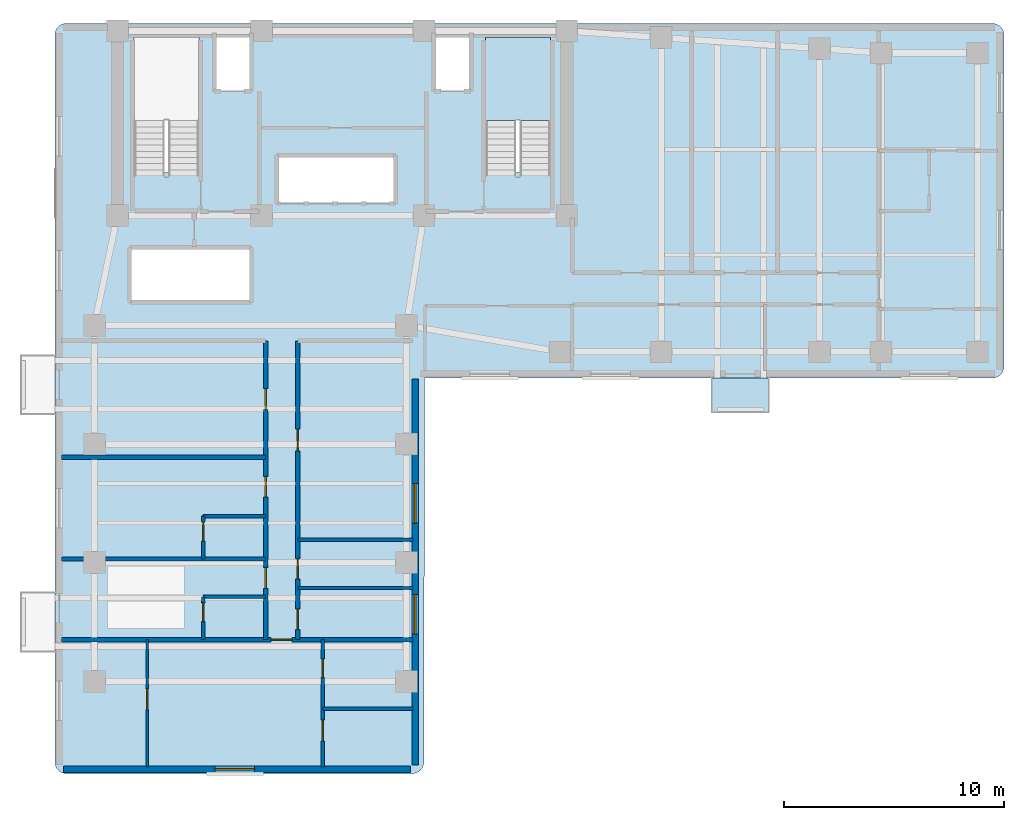
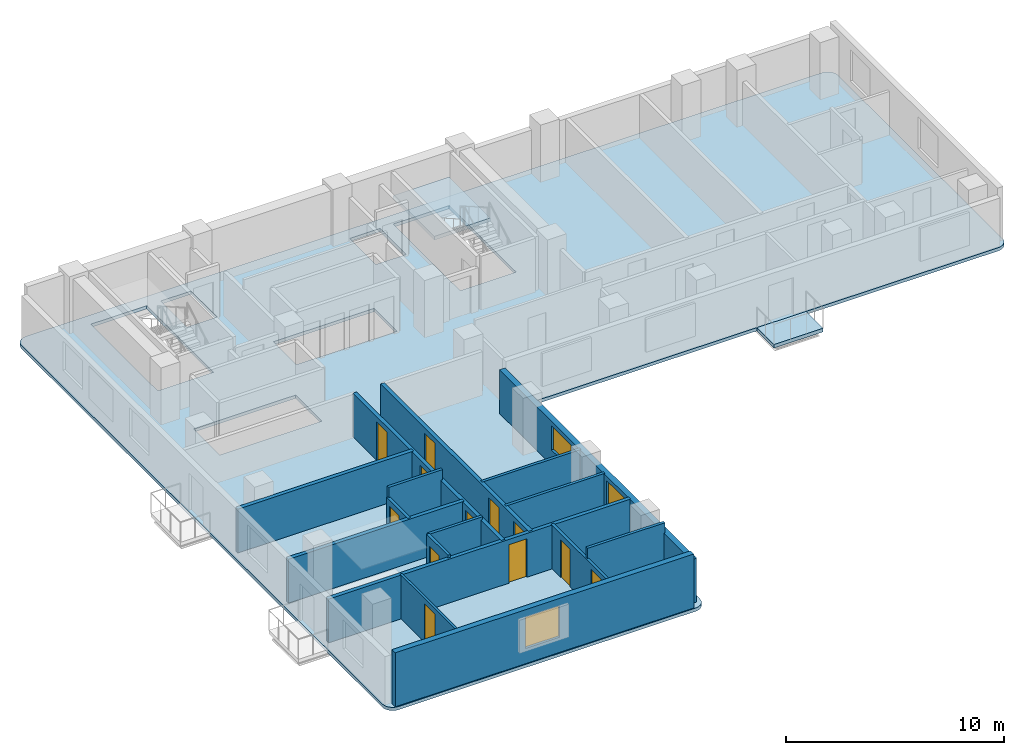
# One storey, part 2 of 7: 16 walls, 12 doors, 3 slabs, 3 windows, 15 openings, 1 element without a shape of its own.
"""IFC4 building model written with IfcOpenShell, lengths in metres."""

from ifc_helpers import new_model, si_unit, direction, frame, frame_2d, origin, place, context, subcontext, project, spatial, polyline, rectangle, outline, extrude, material, layer, layer_set, type_object, element, fill, aggregate, save


model = new_model("IFC4")

# Units and contexts
model_context = context("Model", 3, precision=1e-05, world=origin(), true_north=direction((0.0, 1.0)))
body_context = subcontext(model_context, "Body", "Model", "MODEL_VIEW")
ifc_project = project(units=[si_unit("LENGTHUNIT", "METRE"), si_unit("AREAUNIT", "SQUARE_METRE"), si_unit("VOLUMEUNIT", "CUBIC_METRE"), si_unit("PLANEANGLEUNIT", "RADIAN"), si_unit("MASSUNIT", "GRAM", prefix="KILO")], contexts=[model_context])

# Site, building, storey
site_placement = place(None, origin())
site = spatial("IfcSite", under=ifc_project, at=site_placement, CompositionType="ELEMENT")
building_placement = place(site_placement, origin())
building = spatial("IfcBuilding", under=site, at=building_placement, Name="Kuzgunbayir Cultural Tower", CompositionType="ELEMENT")
storey_placement = place(building_placement, frame((0.0, 0.0, 136.199951171875)))
storey = spatial("IfcBuildingStorey", under=building, at=storey_placement, Name="L39", CompositionType="ELEMENT", Elevation=136.199951171875)

# Slab
ifc_material_1 = material(Name="Concrete C40/50", Category="concrete")
ifc_layer_1 = layer(ifc_material_1, 0.199951171875)
ifc_layer_set_1 = layer_set([ifc_layer_1], Name="Concrete C40/50")
slab_type_1 = type_object("IfcSlabType", Name="SLB-BAL-STONE", PredefinedType="FLOOR", material=ifc_layer_set_1)
slab_1_placement = place(storey_placement, frame((0.0, 0.0, -0.199951171875)))
element("IfcSlab", 1, at=slab_1_placement, inside=storey, type_object=slab_type_1, Name="L39 Projecting Limestone Balcony BAL-L39-WB2", PredefinedType="FLOOR", context=body_context, shape_type="SweptSolid", body=[
    extrude(outline(polyline([(33.5, 24.840087890625), (36.10009765625, 24.840087890625), (36.10009765625, 26.39990234375), (33.5, 26.39990234375), (33.5, 24.840087890625)])), origin(), (0.0, 0.0, 1.0), 0.199951171875),
])

# Stair, slab
stair_type = type_object("IfcStairType", Name="STR-EXIT-CORE", PredefinedType="HALF_TURN_STAIR", material=ifc_material_1)
stair_placement = place(storey_placement, origin())
stair = element("IfcStair", 2, at=stair_placement, inside=storey, type_object=stair_type, Name="L39 ST-2", PredefinedType="HALF_TURN_STAIR")
ifc_layer_2 = layer(ifc_material_1, 0.179931640625)
ifc_layer_set_2 = layer_set([ifc_layer_2], Name="Concrete C40/50")
slab_type_2 = type_object("IfcSlabType", Name="SLB-LANDING-180", PredefinedType="LANDING", material=ifc_layer_set_2)
slab_2_placement = place(storey_placement, frame((0.0, 0.0, 1.400146484375)))
slab_2 = element("IfcSlab", 3, at=slab_2_placement, type_object=slab_type_2, Name="ST-2 landing 1", PredefinedType="LANDING", context=body_context, shape_type="SweptSolid", body=[
    extrude(outline(polyline([(26.159912109375, 38.1201171875), (26.159912109375, 41.89990234375), (23.199951171875, 41.89990234375), (23.199951171875, 38.1201171875), (26.159912109375, 38.1201171875)])), origin(), (0.0, 0.0, 1.0), 0.199951171875),
])
aggregate(stair, [slab_2])

# Slab
ifc_layer_3 = layer(ifc_material_1, 0.179931640625)
ifc_layer_set_3 = layer_set([ifc_layer_3], Name="Concrete C40/50")
slab_type_3 = type_object("IfcSlabType", Name="SLB-TYP-180", PredefinedType="FLOOR", material=ifc_layer_set_3)
slab_3_placement = place(storey_placement, frame((0.0, 0.0, -0.179931640625)))
element("IfcSlab", 4, at=slab_3_placement, inside=storey, type_object=slab_type_3, Name="L39 Tower 1 Floor Slab T1-MAIN", PredefinedType="FLOOR", context=body_context, shape_type="SweptSolid", body=[
    extrude(outline(polyline([(20.39990234375, 8.949951171875), (20.389892578125, 8.840087890625), (20.360107421875, 8.739990234375), (20.31005859375, 8.639892578125), (20.239990234375, 8.56005859375), (20.159912109375, 8.489990234375), (20.06005859375, 8.43994140625), (19.9599609375, 8.409912109375), (19.85009765625, 8.39990234375), (4.14990234375, 8.39990234375), (4.0400390625, 8.409912109375), (3.93994140625, 8.43994140625), (3.840087890625, 8.489990234375), (3.760009765625, 8.56005859375), (3.68994140625, 8.639892578125), (3.639892578125, 8.739990234375), (3.610107421875, 8.840087890625), (3.60009765625, 8.949951171875), (3.60009765625, 42.0), (3.610107421875, 42.110107421875), (3.639892578125, 42.2099609375), (3.68994140625, 42.31005859375), (3.760009765625, 42.389892578125), (3.840087890625, 42.4599609375), (3.93994140625, 42.510009765625), (4.0400390625, 42.5400390625), (4.14990234375, 42.550048828125), (46.25, 42.550048828125), (46.360107421875, 42.5400390625), (46.4599609375, 42.510009765625), (46.56005859375, 42.4599609375), (46.639892578125, 42.389892578125), (46.7099609375, 42.31005859375), (46.760009765625, 42.2099609375), (46.7900390625, 42.110107421875), (46.800048828125, 42.0), (46.800048828125, 26.949951171875), (46.7900390625, 26.840087890625), (46.760009765625, 26.739990234375), (46.7099609375, 26.639892578125), (46.639892578125, 26.56005859375), (46.56005859375, 26.489990234375), (46.4599609375, 26.43994140625), (46.360107421875, 26.409912109375), (46.25, 26.39990234375), (20.429931640625, 26.39990234375), (20.39990234375, 8.949951171875)]), holes=[polyline([(7.199951171875, 35.760009765625), (7.199951171875, 41.89990234375), (10.159912109375, 41.89990234375), (10.159912109375, 35.760009765625), (7.199951171875, 35.760009765625)]), polyline([(23.199951171875, 35.760009765625), (23.199951171875, 41.89990234375), (26.159912109375, 41.89990234375), (26.159912109375, 35.760009765625), (23.199951171875, 35.760009765625)]), polyline([(13.75, 34.39990234375), (13.75, 36.5), (19.080078125, 36.5), (19.080078125, 34.39990234375), (13.75, 34.39990234375)]), polyline([(7.10009765625, 29.89990234375), (7.10009765625, 32.300048828125), (12.5, 32.300048828125), (12.5, 29.89990234375), (7.10009765625, 29.89990234375)]), polyline([(10.89990234375, 39.5), (10.89990234375, 41.89990234375), (12.5, 41.89990234375), (12.5, 39.5), (10.89990234375, 39.5)]), polyline([(20.89990234375, 39.5), (20.89990234375, 41.89990234375), (22.5, 41.89990234375), (22.5, 39.5), (20.89990234375, 39.5)])]), origin(), (0.0, 0.0, 1.0), 0.179931640625),
])

# Wall, opening, window
ifc_material_2 = material(Name="Anatolian Cream Limestone", Category="masonry")
ifc_layer_4 = layer(ifc_material_2, 0.300048828125)
ifc_layer_set_4 = layer_set([ifc_layer_4], Name="Anatolian Cream Limestone")
wall_type_1 = type_object("IfcWallType", Name="WAL-EXT-STONE-300", PredefinedType="STANDARD", material=ifc_layer_set_4)
wall_1_placement = place(storey_placement, frame((4.0, 8.60009765625, 0.0), z_axis=(0.0, 0.0, 1.0), x_axis=(1.0, 0.0, 0.0)))
wall_1 = element("IfcWall", 5, at=wall_1_placement, inside=storey, type_object=wall_type_1, Name="L39 Wing A South Limestone Wall", PredefinedType="STANDARD", context=body_context, shape_type="SweptSolid", body=[
    extrude(rectangle(XDim=15.800048828125, YDim=0.300048828125, at=frame_2d((7.89990234375, 0.0))), origin(), (0.0, 0.0, 1.0), 3.02001953125),
])
opening_1_placement = place(wall_1_placement, frame((6.89990234375, 0.0, 0.85009765625)))
opening_1 = element("IfcOpeningElement", 6, at=opening_1_placement, cuts=wall_1, Name="Opening WH-18", PredefinedType="OPENING", context=body_context, shape_type="SweptSolid", body=[
    extrude(rectangle(XDim=1.800048828125, YDim=1.75, at=frame_2d((0.89990234375, 0.875))), frame((0.0, 0.16015625, 0.0), z_axis=(0.0, -1.0, 0.0), x_axis=(1.0, 0.0, 0.0)), (0.0, 0.0, 1.0), 0.320068359375),
])
ifc_material_3 = material(Name="Solar-Control Triple Glazing", Category="glass")
window_type = type_object("IfcWindowType", Name="WIN-HOTEL-18", PartitioningType="SINGLE_PANEL", PredefinedType="WINDOW", material=ifc_material_3)
window_1_placement = place(opening_1_placement, origin())
window_1 = element("IfcWindow", 7, at=window_1_placement, inside=storey, type_object=window_type, Name="L39 WAS Facade Window 3", OverallHeight=1.75, OverallWidth=1.800048828125, PartitioningType="SINGLE_PANEL", PredefinedType="WINDOW", context=body_context, shape_type="SweptSolid", body=[
    extrude(rectangle(XDim=1.800048828125, YDim=1.75, at=frame_2d((0.89990234375, 0.875))), frame((0.0, 0.030029296875, 0.0), z_axis=(0.0, -1.0, 0.0), x_axis=(1.0, 0.0, 0.0)), (0.0, 0.0, 1.0), 0.06005859375),
])
fill(opening_1, window_1)

# Wall, openings, windows
wall_2_placement = place(storey_placement, frame((20.0, 8.800048828125, 0.0), z_axis=(0.0, 0.0, 1.0), x_axis=(0.0, 1.0, 0.0)))
wall_2 = element("IfcWall", 8, at=wall_2_placement, inside=storey, type_object=wall_type_1, Name="L39 Wing A East Limestone Wall", PredefinedType="STANDARD", context=body_context, shape_type="SweptSolid", body=[
    extrude(rectangle(XDim=17.550048828125, YDim=0.300048828125, at=frame_2d((8.77490234375, 0.0))), origin(), (0.0, 0.0, 1.0), 2.449951171875),
])
opening_2_placement = place(wall_2_placement, frame((5.949951171875, 0.0, 0.85009765625)))
opening_2 = element("IfcOpeningElement", 9, at=opening_2_placement, cuts=wall_2, Name="Opening WH-18", PredefinedType="OPENING", context=body_context, shape_type="SweptSolid", body=[
    extrude(rectangle(XDim=1.800048828125, YDim=1.35009765625, at=frame_2d((0.89990234375, 0.675048828125))), frame((0.0, 0.16015625, 0.0), z_axis=(0.0, -1.0, 0.0), x_axis=(1.0, 0.0, 0.0)), (0.0, 0.0, 1.0), 0.320068359375),
])
opening_3_placement = place(wall_2_placement, frame((11.0, 0.0, 0.85009765625)))
opening_3 = element("IfcOpeningElement", 10, at=opening_3_placement, cuts=wall_2, Name="Opening WH-18", PredefinedType="OPENING", context=body_context, shape_type="SweptSolid", body=[
    extrude(rectangle(XDim=1.800048828125, YDim=1.35009765625, at=frame_2d((0.89990234375, 0.675048828125))), frame((0.0, 0.16015625, 0.0), z_axis=(0.0, -1.0, 0.0), x_axis=(1.0, 0.0, 0.0)), (0.0, 0.0, 1.0), 0.320068359375),
])
window_2_placement = place(opening_2_placement, origin())
window_2 = element("IfcWindow", 11, at=window_2_placement, inside=storey, type_object=window_type, Name="L39 WAE Facade Window 8", OverallHeight=1.35009765625, OverallWidth=1.800048828125, PartitioningType="SINGLE_PANEL", PredefinedType="WINDOW", context=body_context, shape_type="SweptSolid", body=[
    extrude(rectangle(XDim=1.800048828125, YDim=1.35009765625, at=frame_2d((0.89990234375, 0.675048828125))), frame((0.0, 0.030029296875, 0.0), z_axis=(0.0, -1.0, 0.0), x_axis=(1.0, 0.0, 0.0)), (0.0, 0.0, 1.0), 0.06005859375),
])
fill(opening_2, window_2)
window_3_placement = place(opening_3_placement, origin())
window_3 = element("IfcWindow", 12, at=window_3_placement, inside=storey, type_object=window_type, Name="L39 WAE Facade Window 9", OverallHeight=1.35009765625, OverallWidth=1.800048828125, PartitioningType="SINGLE_PANEL", PredefinedType="WINDOW", context=body_context, shape_type="SweptSolid", body=[
    extrude(rectangle(XDim=1.800048828125, YDim=1.35009765625, at=frame_2d((0.89990234375, 0.675048828125))), frame((0.0, 0.030029296875, 0.0), z_axis=(0.0, -1.0, 0.0), x_axis=(1.0, 0.0, 0.0)), (0.0, 0.0, 1.0), 0.06005859375),
])
fill(opening_3, window_3)

# Wall
ifc_material_4 = material(Name="Acoustic Double-Stud Drywall", Category="gypsum")
ifc_layer_5 = layer(ifc_material_4, 0.14990234375)
ifc_layer_set_5 = layer_set([ifc_layer_5], Name="Acoustic Double-Stud Drywall")
wall_type_2 = type_object("IfcWallType", Name="WAL-PART-ACOUSTIC-150", PredefinedType="PARTITIONING", material=ifc_layer_set_5)
wall_3_placement = place(storey_placement, frame((14.659912109375, 16.85009765625, 0.0), z_axis=(0.0, 0.0, 1.0), x_axis=(1.0, 0.0, 0.0)))
element("IfcWall", 13, at=wall_3_placement, inside=storey, type_object=wall_type_2, Name="L39 Housekeeping North Wall", PredefinedType="PARTITIONING", context=body_context, shape_type="SweptSolid", body=[
    extrude(rectangle(XDim=5.239990234375, YDim=0.14990234375, at=frame_2d((2.6201171875, 0.0))), origin(), (0.0, 0.0, 1.0), 2.449951171875),
])

# Wall, openings, doors
ifc_material_5 = material(Name="Aerated Concrete Blockwork", Category="masonry")
ifc_layer_6 = layer(ifc_material_5, 0.199951171875)
ifc_layer_set_6 = layer_set([ifc_layer_6], Name="Aerated Concrete Blockwork")
wall_type_3 = type_object("IfcWallType", Name="WAL-PART-FIRE-200", PredefinedType="PARTITIONING", material=ifc_layer_set_6)
wall_4_placement = place(storey_placement, frame((13.199951171875, 14.5, 0.0), z_axis=(0.0, 0.0, 1.0), x_axis=(0.0, 1.0, 0.0)))
wall_4 = element("IfcWall", 14, at=wall_4_placement, inside=storey, type_object=wall_type_3, Name="L39 Wing A West Corridor Wall", PredefinedType="PARTITIONING", context=body_context, shape_type="SweptSolid", body=[
    extrude(rectangle(XDim=13.60009765625, YDim=0.199951171875, at=frame_2d((6.800048828125, 0.0))), origin(), (0.0, 0.0, 1.0), 2.449951171875),
])
opening_4_placement = place(wall_4_placement, frame((2.330078125, 0.0, 0.0)))
opening_4 = element("IfcOpeningElement", 15, at=opening_4_placement, cuts=wall_4, Name="Opening DR-APT-60", PredefinedType="OPENING", context=body_context, shape_type="SweptSolid", body=[
    extrude(rectangle(XDim=0.949951171875, YDim=2.14990234375, at=frame_2d((0.47509765625, 1.074951171875))), frame((0.0, 0.10986328125, 0.0), z_axis=(0.0, -1.0, 0.0), x_axis=(1.0, 0.0, 0.0)), (0.0, 0.0, 1.0), 0.219970703125),
])
opening_5_placement = place(wall_4_placement, frame((6.47998046875, 0.0, 0.0)))
opening_5 = element("IfcOpeningElement", 16, at=opening_5_placement, cuts=wall_4, Name="Opening DR-APT-60", PredefinedType="OPENING", context=body_context, shape_type="SweptSolid", body=[
    extrude(rectangle(XDim=0.949951171875, YDim=2.14990234375, at=frame_2d((0.47509765625, 1.074951171875))), frame((0.0, 0.10986328125, 0.0), z_axis=(0.0, -1.0, 0.0), x_axis=(1.0, 0.0, 0.0)), (0.0, 0.0, 1.0), 0.219970703125),
])
opening_6_placement = place(wall_4_placement, frame((10.469970703125, 0.0, 0.0)))
opening_6 = element("IfcOpeningElement", 17, at=opening_6_placement, cuts=wall_4, Name="Opening DI-90", PredefinedType="OPENING", context=body_context, shape_type="SweptSolid", body=[
    extrude(rectangle(XDim=0.949951171875, YDim=2.14990234375, at=frame_2d((0.47509765625, 1.074951171875))), frame((0.0, 0.10986328125, 0.0), z_axis=(0.0, -1.0, 0.0), x_axis=(1.0, 0.0, 0.0)), (0.0, 0.0, 1.0), 0.219970703125),
])
ifc_material_6 = material(Name="Acoustic Fire Timber Leaf", Category="wood")
door_type_1 = type_object("IfcDoorType", Name="DR-APT-60", OperationType="NOTDEFINED", PredefinedType="DOOR", material=ifc_material_6)
door_1_placement = place(opening_4_placement, origin())
door_1 = element("IfcDoor", 18, at=door_1_placement, inside=storey, type_object=door_type_1, Name="L39 Guest Suite W1 Entrance", OperationType="SINGLE_SWING_LEFT", OverallHeight=2.14990234375, OverallWidth=0.949951171875, PredefinedType="DOOR", context=body_context, shape_type="SweptSolid", body=[
    extrude(rectangle(XDim=0.949951171875, YDim=2.14990234375, at=frame_2d((0.47509765625, 1.074951171875))), frame((0.0, 0.02490234375, 0.0), z_axis=(0.0, -1.0, 0.0), x_axis=(1.0, 0.0, 0.0)), (0.0, 0.0, 1.0), 0.050048828125),
])
fill(opening_4, door_1)
door_2_placement = place(opening_5_placement, origin())
door_2 = element("IfcDoor", 19, at=door_2_placement, inside=storey, type_object=door_type_1, Name="L39 Guest Suite W2 Entrance", OperationType="SINGLE_SWING_LEFT", OverallHeight=2.14990234375, OverallWidth=0.949951171875, PredefinedType="DOOR", context=body_context, shape_type="SweptSolid", body=[
    extrude(rectangle(XDim=0.949951171875, YDim=2.14990234375, at=frame_2d((0.47509765625, 1.074951171875))), frame((0.0, 0.02490234375, 0.0), z_axis=(0.0, -1.0, 0.0), x_axis=(1.0, 0.0, 0.0)), (0.0, 0.0, 1.0), 0.050048828125),
])
fill(opening_5, door_2)
ifc_material_7 = material(Name="Veneered Oak Single Leaf", Category="wood")
door_type_2 = type_object("IfcDoorType", Name="DR-INT-90", OperationType="NOTDEFINED", PredefinedType="DOOR", material=ifc_material_7)
door_3_placement = place(opening_6_placement, origin())
door_3 = element("IfcDoor", 20, at=door_3_placement, inside=storey, type_object=door_type_2, Name="L39 Art Publication Salon 3 Door", OperationType="SINGLE_SWING_RIGHT", OverallHeight=2.14990234375, OverallWidth=0.949951171875, PredefinedType="DOOR", context=body_context, shape_type="SweptSolid", body=[
    extrude(rectangle(XDim=0.949951171875, YDim=2.14990234375, at=frame_2d((0.47509765625, 1.074951171875))), frame((0.0, 0.02490234375, 0.0), z_axis=(0.0, -1.0, 0.0), x_axis=(1.0, 0.0, 0.0)), (0.0, 0.0, 1.0), 0.050048828125),
])
fill(opening_6, door_3)

wall_5_placement = place(storey_placement, frame((14.659912109375, 14.5, 0.0), z_axis=(0.0, 0.0, 1.0), x_axis=(0.0, 1.0, 0.0)))
wall_5 = element("IfcWall", 21, at=wall_5_placement, inside=storey, type_object=wall_type_3, Name="L39 Wing A East Corridor Wall", PredefinedType="PARTITIONING", context=body_context, shape_type="SweptSolid", body=[
    extrude(rectangle(XDim=13.60009765625, YDim=0.199951171875, at=frame_2d((6.800048828125, 0.0))), origin(), (0.0, 0.0, 1.0), 2.449951171875),
])
opening_7_placement = place(wall_5_placement, frame((0.449951171875, 0.0, 0.0)))
opening_7 = element("IfcOpeningElement", 22, at=opening_7_placement, cuts=wall_5, Name="Opening DI-90", PredefinedType="OPENING", context=body_context, shape_type="SweptSolid", body=[
    extrude(rectangle(XDim=0.949951171875, YDim=2.14990234375, at=frame_2d((0.47509765625, 1.074951171875))), frame((0.0, 0.10986328125, 0.0), z_axis=(0.0, -1.0, 0.0), x_axis=(1.0, 0.0, 0.0)), (0.0, 0.0, 1.0), 0.219970703125),
])
opening_8_placement = place(wall_5_placement, frame((2.75, 0.0, 0.0)))
opening_8 = element("IfcOpeningElement", 23, at=opening_8_placement, cuts=wall_5, Name="Opening DW-95", PredefinedType="OPENING", context=body_context, shape_type="SweptSolid", body=[
    extrude(rectangle(XDim=0.949951171875, YDim=2.10009765625, at=frame_2d((0.47509765625, 1.050048828125))), frame((0.0, 0.10986328125, 0.0), z_axis=(0.0, -1.0, 0.0), x_axis=(1.0, 0.0, 0.0)), (0.0, 0.0, 1.0), 0.219970703125),
])
opening_9_placement = place(wall_5_placement, frame((8.580078125, 0.0, 0.0)))
opening_9 = element("IfcOpeningElement", 24, at=opening_9_placement, cuts=wall_5, Name="Opening DI-100", PredefinedType="OPENING", context=body_context, shape_type="SweptSolid", body=[
    extrude(rectangle(XDim=1.0, YDim=2.14990234375, at=frame_2d((0.5, 1.074951171875))), frame((0.0, 0.10986328125, 0.0), z_axis=(0.0, -1.0, 0.0), x_axis=(1.0, 0.0, 0.0)), (0.0, 0.0, 1.0), 0.219970703125),
])
door_type_3 = type_object("IfcDoorType", Name="DR-INT-100", OperationType="NOTDEFINED", PredefinedType="DOOR", material=ifc_material_7)
door_4_placement = place(opening_9_placement, origin())
door_4 = element("IfcDoor", 25, at=door_4_placement, inside=storey, type_object=door_type_3, Name="L39 East Art Publication Salon Door", OperationType="SINGLE_SWING_LEFT", OverallHeight=2.14990234375, OverallWidth=1.0, PredefinedType="DOOR", context=body_context, shape_type="SweptSolid", body=[
    extrude(rectangle(XDim=1.0, YDim=2.14990234375, at=frame_2d((0.5, 1.074951171875))), frame((0.0, 0.02490234375, 0.0), z_axis=(0.0, -1.0, 0.0), x_axis=(1.0, 0.0, 0.0)), (0.0, 0.0, 1.0), 0.050048828125),
])
fill(opening_9, door_4)
door_5_placement = place(opening_7_placement, origin())
door_5 = element("IfcDoor", 26, at=door_5_placement, inside=storey, type_object=door_type_2, Name="L39 Housekeeping Room Door", OperationType="SINGLE_SWING_LEFT", OverallHeight=2.14990234375, OverallWidth=0.949951171875, PredefinedType="DOOR", context=body_context, shape_type="SweptSolid", body=[
    extrude(rectangle(XDim=0.949951171875, YDim=2.14990234375, at=frame_2d((0.47509765625, 1.074951171875))), frame((0.0, 0.02490234375, 0.0), z_axis=(0.0, -1.0, 0.0), x_axis=(1.0, 0.0, 0.0)), (0.0, 0.0, 1.0), 0.050048828125),
])
fill(opening_7, door_5)
ifc_material_8 = material(Name="Laminate Moisture-Resistant Leaf", Category="wood")
door_type_4 = type_object("IfcDoorType", Name="DR-WET-95", OperationType="NOTDEFINED", PredefinedType="DOOR", material=ifc_material_8)
door_6_placement = place(opening_8_placement, origin())
door_6 = element("IfcDoor", 27, at=door_6_placement, inside=storey, type_object=door_type_4, Name="L39 Accessible WC Door", OperationType="SINGLE_SWING_RIGHT", OverallHeight=2.10009765625, OverallWidth=0.949951171875, PredefinedType="DOOR", context=body_context, shape_type="SweptSolid", body=[
    extrude(rectangle(XDim=0.949951171875, YDim=2.10009765625, at=frame_2d((0.47509765625, 1.050048828125))), frame((0.0, 0.02490234375, 0.0), z_axis=(0.0, -1.0, 0.0), x_axis=(1.0, 0.0, 0.0)), (0.0, 0.0, 1.0), 0.050048828125),
])
fill(opening_8, door_6)

# Wall, opening, door
wall_6_placement = place(storey_placement, frame((3.89990234375, 14.5, 0.0), z_axis=(0.0, 0.0, 1.0), x_axis=(1.0, 0.0, 0.0)))
wall_6 = element("IfcWall", 28, at=wall_6_placement, inside=storey, type_object=wall_type_3, Name="L39 South Cross Partition", PredefinedType="PARTITIONING", context=body_context, shape_type="SweptSolid", body=[
    extrude(rectangle(XDim=16.0, YDim=0.199951171875, at=frame_2d((8.0, 0.0))), origin(), (0.0, 0.0, 1.0), 2.449951171875),
])
opening_10_placement = place(wall_6_placement, frame((9.550048828125, 0.0, 0.0)))
opening_10 = element("IfcOpeningElement", 29, at=opening_10_placement, cuts=wall_6, Name="Opening DR-APT-60", PredefinedType="OPENING", context=body_context, shape_type="SweptSolid", body=[
    extrude(rectangle(XDim=0.949951171875, YDim=2.14990234375, at=frame_2d((0.47509765625, 1.074951171875))), frame((0.0, 0.10986328125, 0.0), z_axis=(0.0, -1.0, 0.0), x_axis=(1.0, 0.0, 0.0)), (0.0, 0.0, 1.0), 0.219970703125),
])
door_7_placement = place(opening_10_placement, origin())
door_7 = element("IfcDoor", 30, at=door_7_placement, inside=storey, type_object=door_type_1, Name="L39 Diplomatic Suite Entrance", OperationType="SINGLE_SWING_LEFT", OverallHeight=2.14990234375, OverallWidth=0.949951171875, PredefinedType="DOOR", context=body_context, shape_type="SweptSolid", body=[
    extrude(rectangle(XDim=0.949951171875, YDim=2.14990234375, at=frame_2d((0.47509765625, 1.074951171875))), frame((0.0, 0.02490234375, 0.0), z_axis=(0.0, -1.0, 0.0), x_axis=(1.0, 0.0, 0.0)), (0.0, 0.0, 1.0), 0.050048828125),
])
fill(opening_10, door_7)

# Walls
for number, where, z_axis, x_axis, name in (
    (31, (3.89990234375, 18.169921875, 0.0), (0.0, 0.0, 1.0), (1.0, 0.0, 0.0), "L39 West Party Wall 1"),
    (32, (3.89990234375, 22.800048828125, 0.0), (0.0, 0.0, 1.0), (1.0, 0.0, 0.0), "L39 West Party Wall 2"),
):
    element("IfcWall", number, at=place(storey_placement, frame(where, z_axis=z_axis, x_axis=x_axis)), inside=storey, type_object=wall_type_3, Name=name, PredefinedType="PARTITIONING", context=body_context, shape_type="SweptSolid", body=[
        extrude(rectangle(XDim=9.300048828125, YDim=0.199951171875, at=frame_2d((4.64990234375, 0.0))), origin(), (0.0, 0.0, 1.0), 2.449951171875),
    ])

# Wall, opening, door
ifc_material_9 = material(Name="Framed Gypsum Partition", Category="gypsum")
ifc_layer_7 = layer(ifc_material_9, 0.1201171875)
ifc_layer_set_7 = layer_set([ifc_layer_7], Name="Framed Gypsum Partition")
wall_type_4 = type_object("IfcWallType", Name="WAL-PART-INT-120", PredefinedType="PARTITIONING", material=ifc_layer_set_7)
wall_7_placement = place(storey_placement, frame((7.800048828125, 8.699951171875, 0.0), z_axis=(0.0, 0.0, 1.0), x_axis=(0.0, 1.0, 0.0)))
wall_7 = element("IfcWall", 33, at=wall_7_placement, inside=storey, type_object=wall_type_4, Name="L39 Diplomatic Suite Bedroom Wall", PredefinedType="PARTITIONING", context=body_context, shape_type="SweptSolid", body=[
    extrude(rectangle(XDim=5.800048828125, YDim=0.1201171875, at=frame_2d((2.89990234375, 0.0))), origin(), (0.0, 0.0, 1.0), 2.449951171875),
])
opening_11_placement = place(wall_7_placement, frame((2.610107421875, 0.0, 0.0)))
opening_11 = element("IfcOpeningElement", 34, at=opening_11_placement, cuts=wall_7, Name="Opening DI-90", PredefinedType="OPENING", context=body_context, shape_type="SweptSolid", body=[
    extrude(rectangle(XDim=0.949951171875, YDim=2.14990234375, at=frame_2d((0.47509765625, 1.074951171875))), frame((0.0, 0.070068359375, 0.0), z_axis=(0.0, -1.0, 0.0), x_axis=(1.0, 0.0, 0.0)), (0.0, 0.0, 1.0), 0.14013671875),
])
door_8_placement = place(opening_11_placement, origin())
door_8 = element("IfcDoor", 35, at=door_8_placement, inside=storey, type_object=door_type_2, Name="L39 Diplomatic Bedroom Door", OperationType="SINGLE_SWING_RIGHT", OverallHeight=2.14990234375, OverallWidth=0.949951171875, PredefinedType="DOOR", context=body_context, shape_type="SweptSolid", body=[
    extrude(rectangle(XDim=0.949951171875, YDim=2.14990234375, at=frame_2d((0.47509765625, 1.074951171875))), frame((0.0, 0.02490234375, 0.0), z_axis=(0.0, -1.0, 0.0), x_axis=(1.0, 0.0, 0.0)), (0.0, 0.0, 1.0), 0.050048828125),
])
fill(opening_11, door_8)

# Wall
ifc_material_10 = material(Name="Moisture-Resistant Tile Partition", Category="gypsum")
ifc_layer_8 = layer(ifc_material_10, 0.14990234375)
ifc_layer_set_8 = layer_set([ifc_layer_8], Name="Moisture-Resistant Tile Partition")
wall_type_5 = type_object("IfcWallType", Name="WAL-PART-WET-150", PredefinedType="PARTITIONING", material=ifc_layer_set_8)
wall_8_placement = place(storey_placement, frame((10.35009765625, 16.449951171875, 0.0), z_axis=(0.0, 0.0, 1.0), x_axis=(1.0, 0.0, 0.0)))
element("IfcWall", 36, at=wall_8_placement, inside=storey, type_object=wall_type_5, Name="L39 Suite W1 En-Suite North Wall", PredefinedType="PARTITIONING", context=body_context, shape_type="SweptSolid", body=[
    extrude(rectangle(XDim=2.849853515625, YDim=0.14990234375, at=frame_2d((1.4248046875, 0.0))), origin(), (0.0, 0.0, 1.0), 2.610107421875),
])

# Wall, opening, door
wall_9_placement = place(storey_placement, frame((10.35009765625, 14.5, 0.0), z_axis=(0.0, 0.0, 1.0), x_axis=(0.0, 1.0, 0.0)))
wall_9 = element("IfcWall", 37, at=wall_9_placement, inside=storey, type_object=wall_type_5, Name="L39 Suite W1 En-Suite West Wall", PredefinedType="PARTITIONING", context=body_context, shape_type="SweptSolid", body=[
    extrude(rectangle(XDim=1.949951171875, YDim=0.14990234375, at=frame_2d((0.97509765625, 0.0))), origin(), (0.0, 0.0, 1.0), 2.610107421875),
])
opening_12_placement = place(wall_9_placement, frame((0.820068359375, 0.0, 0.0)))
opening_12 = element("IfcOpeningElement", 38, at=opening_12_placement, cuts=wall_9, Name="Opening DW-85", PredefinedType="OPENING", context=body_context, shape_type="SweptSolid", body=[
    extrude(rectangle(XDim=0.85009765625, YDim=2.10009765625, at=frame_2d((0.425048828125, 1.050048828125))), frame((0.0, 0.0849609375, 0.0), z_axis=(0.0, -1.0, 0.0), x_axis=(1.0, 0.0, 0.0)), (0.0, 0.0, 1.0), 0.169921875),
])
door_type_5 = type_object("IfcDoorType", Name="DR-WET-85", OperationType="NOTDEFINED", PredefinedType="DOOR", material=ifc_material_8)
door_9_placement = place(opening_12_placement, origin())
door_9 = element("IfcDoor", 39, at=door_9_placement, inside=storey, type_object=door_type_5, Name="L39 Suite W1 En-Suite Door", OperationType="SINGLE_SWING_RIGHT", OverallHeight=2.10009765625, OverallWidth=0.85009765625, PredefinedType="DOOR", context=body_context, shape_type="SweptSolid", body=[
    extrude(rectangle(XDim=0.85009765625, YDim=2.10009765625, at=frame_2d((0.425048828125, 1.050048828125))), frame((0.0, 0.02490234375, 0.0), z_axis=(0.0, -1.0, 0.0), x_axis=(1.0, 0.0, 0.0)), (0.0, 0.0, 1.0), 0.050048828125),
])
fill(opening_12, door_9)

# Wall
wall_10_placement = place(storey_placement, frame((10.35009765625, 20.1201171875, 0.0), z_axis=(0.0, 0.0, 1.0), x_axis=(1.0, 0.0, 0.0)))
element("IfcWall", 40, at=wall_10_placement, inside=storey, type_object=wall_type_5, Name="L39 Suite W2 En-Suite North Wall", PredefinedType="PARTITIONING", context=body_context, shape_type="SweptSolid", body=[
    extrude(rectangle(XDim=2.849853515625, YDim=0.14990234375, at=frame_2d((1.4248046875, 0.0))), origin(), (0.0, 0.0, 1.0), 3.02001953125),
])

# Wall, opening, door
wall_11_placement = place(storey_placement, frame((10.35009765625, 18.169921875, 0.0), z_axis=(0.0, 0.0, 1.0), x_axis=(0.0, 1.0, 0.0)))
wall_11 = element("IfcWall", 41, at=wall_11_placement, inside=storey, type_object=wall_type_5, Name="L39 Suite W2 En-Suite West Wall", PredefinedType="PARTITIONING", context=body_context, shape_type="SweptSolid", body=[
    extrude(rectangle(XDim=1.9501953125, YDim=0.14990234375, at=frame_2d((0.97509765625, 0.0))), origin(), (0.0, 0.0, 1.0), 2.449951171875),
])
opening_13_placement = place(wall_11_placement, frame((0.820068359375, 0.0, 0.0)))
opening_13 = element("IfcOpeningElement", 42, at=opening_13_placement, cuts=wall_11, Name="Opening DW-85", PredefinedType="OPENING", context=body_context, shape_type="SweptSolid", body=[
    extrude(rectangle(XDim=0.85009765625, YDim=2.10009765625, at=frame_2d((0.425048828125, 1.050048828125))), frame((0.0, 0.0849609375, 0.0), z_axis=(0.0, -1.0, 0.0), x_axis=(1.0, 0.0, 0.0)), (0.0, 0.0, 1.0), 0.169921875),
])
door_10_placement = place(opening_13_placement, origin())
door_10 = element("IfcDoor", 43, at=door_10_placement, inside=storey, type_object=door_type_5, Name="L39 Suite W2 En-Suite Door", OperationType="SINGLE_SWING_RIGHT", OverallHeight=2.10009765625, OverallWidth=0.85009765625, PredefinedType="DOOR", context=body_context, shape_type="SweptSolid", body=[
    extrude(rectangle(XDim=0.85009765625, YDim=2.10009765625, at=frame_2d((0.425048828125, 1.050048828125))), frame((0.0, 0.02490234375, 0.0), z_axis=(0.0, -1.0, 0.0), x_axis=(1.0, 0.0, 0.0)), (0.0, 0.0, 1.0), 0.050048828125),
])
fill(opening_13, door_10)

# Wall, openings, doors
wall_12_placement = place(storey_placement, frame((15.800048828125, 8.699951171875, 0.0), z_axis=(0.0, 0.0, 1.0), x_axis=(0.0, 1.0, 0.0)))
wall_12 = element("IfcWall", 44, at=wall_12_placement, inside=storey, type_object=wall_type_5, Name="L39 Diplomatic Suite Service Wall", PredefinedType="PARTITIONING", context=body_context, shape_type="SweptSolid", body=[
    extrude(rectangle(XDim=5.800048828125, YDim=0.14990234375, at=frame_2d((2.89990234375, 0.0))), origin(), (0.0, 0.0, 1.0), 2.449951171875),
])
opening_14_placement = place(wall_12_placement, frame((1.18994140625, 0.0, 0.0)))
opening_14 = element("IfcOpeningElement", 45, at=opening_14_placement, cuts=wall_12, Name="Opening DI-90", PredefinedType="OPENING", context=body_context, shape_type="SweptSolid", body=[
    extrude(rectangle(XDim=0.949951171875, YDim=2.14990234375, at=frame_2d((0.47509765625, 1.074951171875))), frame((0.0, 0.0849609375, 0.0), z_axis=(0.0, -1.0, 0.0), x_axis=(1.0, 0.0, 0.0)), (0.0, 0.0, 1.0), 0.169921875),
])
opening_15_placement = place(wall_12_placement, frame((4.070068359375, 0.0, 0.0)))
opening_15 = element("IfcOpeningElement", 46, at=opening_15_placement, cuts=wall_12, Name="Opening DW-85", PredefinedType="OPENING", context=body_context, shape_type="SweptSolid", body=[
    extrude(rectangle(XDim=0.85009765625, YDim=2.10009765625, at=frame_2d((0.425048828125, 1.050048828125))), frame((0.0, 0.0849609375, 0.0), z_axis=(0.0, -1.0, 0.0), x_axis=(1.0, 0.0, 0.0)), (0.0, 0.0, 1.0), 0.169921875),
])
door_11_placement = place(opening_14_placement, origin())
door_11 = element("IfcDoor", 47, at=door_11_placement, inside=storey, type_object=door_type_2, Name="L39 Diplomatic Kitchen Door", OperationType="SINGLE_SWING_LEFT", OverallHeight=2.14990234375, OverallWidth=0.949951171875, PredefinedType="DOOR", context=body_context, shape_type="SweptSolid", body=[
    extrude(rectangle(XDim=0.949951171875, YDim=2.14990234375, at=frame_2d((0.47509765625, 1.074951171875))), frame((0.0, 0.02490234375, 0.0), z_axis=(0.0, -1.0, 0.0), x_axis=(1.0, 0.0, 0.0)), (0.0, 0.0, 1.0), 0.050048828125),
])
fill(opening_14, door_11)
door_12_placement = place(opening_15_placement, origin())
door_12 = element("IfcDoor", 48, at=door_12_placement, inside=storey, type_object=door_type_5, Name="L39 Diplomatic Bathroom Door", OperationType="SINGLE_SWING_RIGHT", OverallHeight=2.10009765625, OverallWidth=0.85009765625, PredefinedType="DOOR", context=body_context, shape_type="SweptSolid", body=[
    extrude(rectangle(XDim=0.85009765625, YDim=2.10009765625, at=frame_2d((0.425048828125, 1.050048828125))), frame((0.0, 0.02490234375, 0.0), z_axis=(0.0, -1.0, 0.0), x_axis=(1.0, 0.0, 0.0)), (0.0, 0.0, 1.0), 0.050048828125),
])
fill(opening_15, door_12)

# Walls
wall_13_placement = place(storey_placement, frame((15.800048828125, 11.35009765625, 0.0), z_axis=(0.0, 0.0, 1.0), x_axis=(1.0, 0.0, 0.0)))
element("IfcWall", 49, at=wall_13_placement, inside=storey, type_object=wall_type_5, Name="L39 Diplomatic Suite Bath Kitchen Divider", PredefinedType="PARTITIONING", context=body_context, shape_type="SweptSolid", body=[
    extrude(rectangle(XDim=4.099853515625, YDim=0.14990234375, at=frame_2d((2.0498046875, 0.0))), origin(), (0.0, 0.0, 1.0), 3.02001953125),
])
wall_14_placement = place(storey_placement, frame((14.659912109375, 19.050048828125, 0.0), z_axis=(0.0, 0.0, 1.0), x_axis=(1.0, 0.0, 0.0)))
element("IfcWall", 50, at=wall_14_placement, inside=storey, type_object=wall_type_5, Name="L39 Accessible WC North Wall", PredefinedType="PARTITIONING", context=body_context, shape_type="SweptSolid", body=[
    extrude(rectangle(XDim=5.239990234375, YDim=0.14990234375, at=frame_2d((2.6201171875, 0.0))), origin(), (0.0, 0.0, 1.0), 2.449951171875),
])

save(model, "model.ifc")
